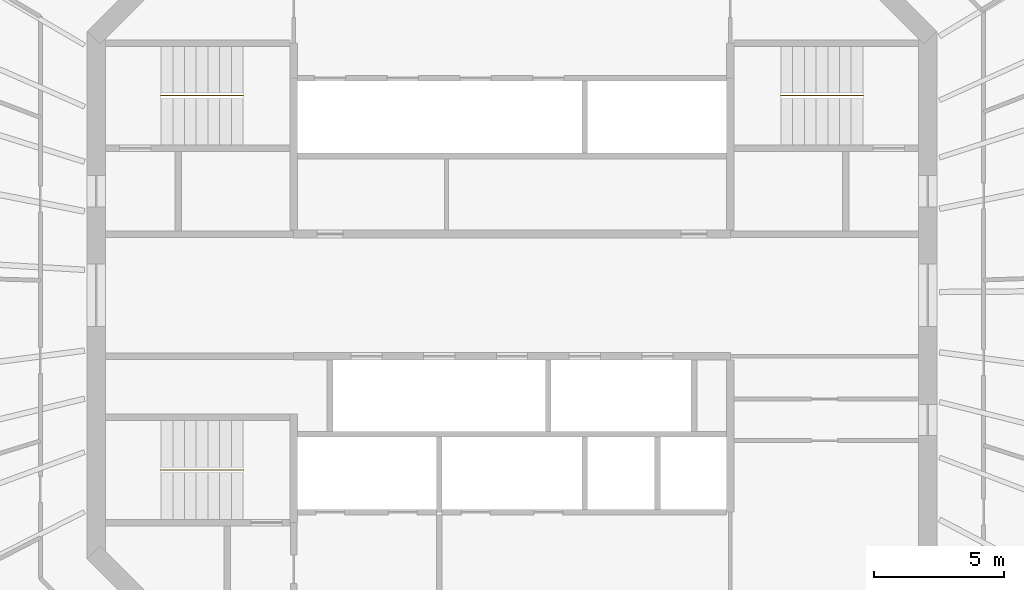
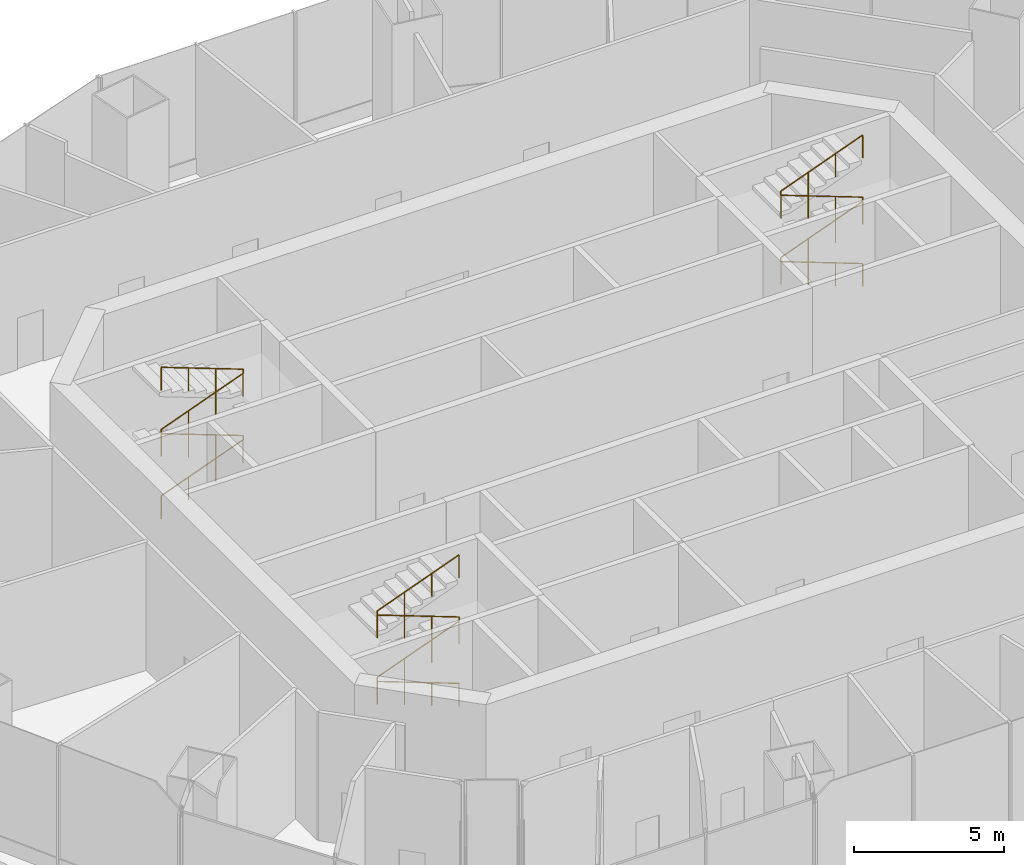
# One storey, part 12 of 12: 3 railings.
"""IFC4 building model written with IfcOpenShell, lengths in metres."""

from ifc_helpers import new_model, si_unit, direction, frame, origin, origin_2d, place, context, subcontext, project, spatial, circle, extrude, material, type_object, element, save


model = new_model("IFC4")

# Units and contexts
model_context = context("Model", 3, precision=1e-05, world=origin(), true_north=direction((0.0, 1.0)))
body_context = subcontext(model_context, "Body", "Model", "MODEL_VIEW")
ifc_project = project(units=[si_unit("LENGTHUNIT", "METRE"), si_unit("AREAUNIT", "SQUARE_METRE"), si_unit("VOLUMEUNIT", "CUBIC_METRE"), si_unit("PLANEANGLEUNIT", "RADIAN"), si_unit("MASSUNIT", "GRAM", prefix="KILO")], contexts=[model_context])

# Site, building, storey
site_placement = place(None, origin())
site = spatial("IfcSite", under=ifc_project, at=site_placement, CompositionType="ELEMENT")
building_placement = place(site_placement, origin())
building = spatial("IfcBuilding", under=site, at=building_placement, Name="Marenthal Gate Tower", CompositionType="ELEMENT")
storey_placement = place(building_placement, frame((0.0, 0.0, 279.10009765625)))
storey = spatial("IfcBuildingStorey", under=building, at=storey_placement, Name="L62", CompositionType="ELEMENT", Elevation=279.10009765625)

# Railings
ifc_material = material(Name="Stainless steel", Category="steel")
railing_type = type_object("IfcRailingType", Name="Stair handrail", PredefinedType="HANDRAIL", material=ifc_material)
railing_1_placement = place(storey_placement, frame((-13.5, 7.675048828125, 0.168701171875)))
element("IfcRailing", 1, at=railing_1_placement, inside=storey, type_object=railing_type, Name="Handrail ST1", PredefinedType="HANDRAIL", context=body_context, shape_type="SweptSolid", body=[
    extrude(circle(Radius=0.0224609375, at=origin_2d()), frame((0.0, 0.0, 0.927490234375), z_axis=(0.936335142327, 0.0, 0.351107535156), x_axis=(0.0, 1.0, 0.0)), (0.0, 0.0, 1.0), 3.364013671875),
    extrude(circle(Radius=0.0224609375, at=origin_2d()), frame((3.14990234375, 0.0, 2.108642578125), z_axis=(0.0, 0.0, 1.0), x_axis=(1.0, 0.0, 0.0)), (0.0, 0.0, 1.0), 0.1689453125),
    extrude(circle(Radius=0.0224609375, at=origin_2d()), frame((3.14990234375, 0.0, 2.277587890625), z_axis=(-0.936335142327, 0.0, 0.351107535156), x_axis=(0.0, -1.0, 0.0)), (0.0, 0.0, 1.0), 3.364013671875),
    extrude(circle(Radius=0.0224609375, at=origin_2d()), frame((0.0, 0.0, 3.458740234375), z_axis=(0.0, 0.0, 1.0), x_axis=(1.0, 0.0, 0.0)), (0.0, 0.0, 1.0), 0.168701171875),
    extrude(circle(Radius=0.0224609375, at=origin_2d()), frame((0.0, 0.0, 3.62744140625), z_axis=(0.936335142327, 0.0, 0.351107535156), x_axis=(0.0, 1.0, 0.0)), (0.0, 0.0, 1.0), 3.364013671875),
    extrude(circle(Radius=0.0224609375, at=origin_2d()), frame((3.14990234375, 0.0, 4.80859375), z_axis=(0.0, 0.0, 1.0), x_axis=(1.0, 0.0, 0.0)), (0.0, 0.0, 1.0), 0.1689453125),
    extrude(circle(Radius=0.0224609375, at=origin_2d()), frame((3.14990234375, 0.0, 4.9775390625), z_axis=(-0.936335142327, 0.0, 0.351107535156), x_axis=(0.0, -1.0, 0.0)), (0.0, 0.0, 1.0), 3.364013671875),
    extrude(circle(Radius=0.02001953125, at=origin_2d()), origin(), (0.0, 0.0, 1.0), 0.905029296875),
    extrude(circle(Radius=0.02001953125, at=origin_2d()), frame((1.050048828125, 0.0, 0.393798828125)), (0.0, 0.0, 1.0), 0.905029296875),
    extrude(circle(Radius=0.02001953125, at=origin_2d()), frame((2.099853515625, 0.0, 0.787353515625)), (0.0, 0.0, 1.0), 0.905029296875),
    extrude(circle(Radius=0.02001953125, at=origin_2d()), frame((3.14990234375, 0.0, 1.18115234375)), (0.0, 0.0, 1.0), 0.905029296875),
    extrude(circle(Radius=0.02001953125, at=origin_2d()), frame((3.14990234375, 0.0, 1.35009765625)), (0.0, 0.0, 1.0), 0.905029296875),
    extrude(circle(Radius=0.02001953125, at=origin_2d()), frame((2.099853515625, 0.0, 1.743896484375)), (0.0, 0.0, 1.0), 0.905029296875),
    extrude(circle(Radius=0.02001953125, at=origin_2d()), frame((1.050048828125, 0.0, 2.137451171875)), (0.0, 0.0, 1.0), 0.905029296875),
    extrude(circle(Radius=0.02001953125, at=origin_2d()), frame((0.0, 0.0, 2.53125)), (0.0, 0.0, 1.0), 0.905029296875),
    extrude(circle(Radius=0.02001953125, at=origin_2d()), frame((0.0, 0.0, 2.699951171875)), (0.0, 0.0, 1.0), 0.905029296875),
    extrude(circle(Radius=0.02001953125, at=origin_2d()), frame((1.050048828125, 0.0, 3.09375)), (0.0, 0.0, 1.0), 0.905029296875),
    extrude(circle(Radius=0.02001953125, at=origin_2d()), frame((2.099853515625, 0.0, 3.4873046875)), (0.0, 0.0, 1.0), 0.905029296875),
    extrude(circle(Radius=0.02001953125, at=origin_2d()), frame((3.14990234375, 0.0, 3.881103515625)), (0.0, 0.0, 1.0), 0.905029296875),
    extrude(circle(Radius=0.02001953125, at=origin_2d()), frame((3.14990234375, 0.0, 4.050048828125)), (0.0, 0.0, 1.0), 0.905029296875),
    extrude(circle(Radius=0.02001953125, at=origin_2d()), frame((2.099853515625, 0.0, 4.44384765625)), (0.0, 0.0, 1.0), 0.905029296875),
    extrude(circle(Radius=0.02001953125, at=origin_2d()), frame((1.050048828125, 0.0, 4.83740234375)), (0.0, 0.0, 1.0), 0.905029296875),
    extrude(circle(Radius=0.02001953125, at=origin_2d()), frame((0.0, 0.0, 5.231201171875)), (0.0, 0.0, 1.0), 0.905029296875),
])
railing_2_placement = place(storey_placement, frame((-10.35009765625, -6.72509765625, 0.168701171875)))
element("IfcRailing", 2, at=railing_2_placement, inside=storey, type_object=railing_type, Name="Handrail ST2", PredefinedType="HANDRAIL", context=body_context, shape_type="SweptSolid", body=[
    extrude(circle(Radius=0.0224609375, at=origin_2d()), frame((0.0, 0.0, 0.927490234375), z_axis=(-0.936335142327, 0.0, 0.351107535156), x_axis=(0.0, -1.0, 0.0)), (0.0, 0.0, 1.0), 3.364013671875),
    extrude(circle(Radius=0.0224609375, at=origin_2d()), frame((-3.14990234375, 0.0, 2.108642578125), z_axis=(0.0, 0.0, 1.0), x_axis=(1.0, 0.0, 0.0)), (0.0, 0.0, 1.0), 0.1689453125),
    extrude(circle(Radius=0.0224609375, at=origin_2d()), frame((-3.14990234375, 0.0, 2.277587890625), z_axis=(0.936335142327, 0.0, 0.351107535156), x_axis=(0.0, 1.0, 0.0)), (0.0, 0.0, 1.0), 3.364013671875),
    extrude(circle(Radius=0.0224609375, at=origin_2d()), frame((0.0, 0.0, 3.458740234375), z_axis=(0.0, 0.0, 1.0), x_axis=(1.0, 0.0, 0.0)), (0.0, 0.0, 1.0), 0.168701171875),
    extrude(circle(Radius=0.0224609375, at=origin_2d()), frame((0.0, 0.0, 3.62744140625), z_axis=(-0.936335142327, 0.0, 0.351107535156), x_axis=(0.0, -1.0, 0.0)), (0.0, 0.0, 1.0), 3.364013671875),
    extrude(circle(Radius=0.0224609375, at=origin_2d()), frame((-3.14990234375, 0.0, 4.80859375), z_axis=(0.0, 0.0, 1.0), x_axis=(1.0, 0.0, 0.0)), (0.0, 0.0, 1.0), 0.1689453125),
    extrude(circle(Radius=0.0224609375, at=origin_2d()), frame((-3.14990234375, 0.0, 4.9775390625), z_axis=(0.936335142327, 0.0, 0.351107535156), x_axis=(0.0, 1.0, 0.0)), (0.0, 0.0, 1.0), 3.364013671875),
    extrude(circle(Radius=0.02001953125, at=origin_2d()), origin(), (0.0, 0.0, 1.0), 0.905029296875),
    extrude(circle(Radius=0.02001953125, at=origin_2d()), frame((-1.050048828125, 0.0, 0.393798828125)), (0.0, 0.0, 1.0), 0.905029296875),
    extrude(circle(Radius=0.02001953125, at=origin_2d()), frame((-2.099853515625, 0.0, 0.787353515625)), (0.0, 0.0, 1.0), 0.905029296875),
    extrude(circle(Radius=0.02001953125, at=origin_2d()), frame((-3.14990234375, 0.0, 1.18115234375)), (0.0, 0.0, 1.0), 0.905029296875),
    extrude(circle(Radius=0.02001953125, at=origin_2d()), frame((-3.14990234375, 0.0, 1.35009765625)), (0.0, 0.0, 1.0), 0.905029296875),
    extrude(circle(Radius=0.02001953125, at=origin_2d()), frame((-2.099853515625, 0.0, 1.743896484375)), (0.0, 0.0, 1.0), 0.905029296875),
    extrude(circle(Radius=0.02001953125, at=origin_2d()), frame((-1.050048828125, 0.0, 2.137451171875)), (0.0, 0.0, 1.0), 0.905029296875),
    extrude(circle(Radius=0.02001953125, at=origin_2d()), frame((0.0, 0.0, 2.53125)), (0.0, 0.0, 1.0), 0.905029296875),
    extrude(circle(Radius=0.02001953125, at=origin_2d()), frame((0.0, 0.0, 2.699951171875)), (0.0, 0.0, 1.0), 0.905029296875),
    extrude(circle(Radius=0.02001953125, at=origin_2d()), frame((-1.050048828125, 0.0, 3.09375)), (0.0, 0.0, 1.0), 0.905029296875),
    extrude(circle(Radius=0.02001953125, at=origin_2d()), frame((-2.099853515625, 0.0, 3.4873046875)), (0.0, 0.0, 1.0), 0.905029296875),
    extrude(circle(Radius=0.02001953125, at=origin_2d()), frame((-3.14990234375, 0.0, 3.881103515625)), (0.0, 0.0, 1.0), 0.905029296875),
    extrude(circle(Radius=0.02001953125, at=origin_2d()), frame((-3.14990234375, 0.0, 4.050048828125)), (0.0, 0.0, 1.0), 0.905029296875),
    extrude(circle(Radius=0.02001953125, at=origin_2d()), frame((-2.099853515625, 0.0, 4.44384765625)), (0.0, 0.0, 1.0), 0.905029296875),
    extrude(circle(Radius=0.02001953125, at=origin_2d()), frame((-1.050048828125, 0.0, 4.83740234375)), (0.0, 0.0, 1.0), 0.905029296875),
    extrude(circle(Radius=0.02001953125, at=origin_2d()), frame((0.0, 0.0, 5.231201171875)), (0.0, 0.0, 1.0), 0.905029296875),
])
railing_3_placement = place(storey_placement, frame((13.5, 7.675048828125, 0.168701171875)))
element("IfcRailing", 3, at=railing_3_placement, inside=storey, type_object=railing_type, Name="Handrail ST3", PredefinedType="HANDRAIL", context=body_context, shape_type="SweptSolid", body=[
    extrude(circle(Radius=0.0224609375, at=origin_2d()), frame((0.0, 0.0, 0.927490234375), z_axis=(-0.936335142327, 0.0, 0.351107535156), x_axis=(0.0, -1.0, 0.0)), (0.0, 0.0, 1.0), 3.364013671875),
    extrude(circle(Radius=0.0224609375, at=origin_2d()), frame((-3.14990234375, 0.0, 2.108642578125), z_axis=(0.0, 0.0, 1.0), x_axis=(1.0, 0.0, 0.0)), (0.0, 0.0, 1.0), 0.1689453125),
    extrude(circle(Radius=0.0224609375, at=origin_2d()), frame((-3.14990234375, 0.0, 2.277587890625), z_axis=(0.936335142327, 0.0, 0.351107535156), x_axis=(0.0, 1.0, 0.0)), (0.0, 0.0, 1.0), 3.364013671875),
    extrude(circle(Radius=0.0224609375, at=origin_2d()), frame((0.0, 0.0, 3.458740234375), z_axis=(0.0, 0.0, 1.0), x_axis=(1.0, 0.0, 0.0)), (0.0, 0.0, 1.0), 0.168701171875),
    extrude(circle(Radius=0.0224609375, at=origin_2d()), frame((0.0, 0.0, 3.62744140625), z_axis=(-0.936335142327, 0.0, 0.351107535156), x_axis=(0.0, -1.0, 0.0)), (0.0, 0.0, 1.0), 3.364013671875),
    extrude(circle(Radius=0.0224609375, at=origin_2d()), frame((-3.14990234375, 0.0, 4.80859375), z_axis=(0.0, 0.0, 1.0), x_axis=(1.0, 0.0, 0.0)), (0.0, 0.0, 1.0), 0.1689453125),
    extrude(circle(Radius=0.0224609375, at=origin_2d()), frame((-3.14990234375, 0.0, 4.9775390625), z_axis=(0.936335142327, 0.0, 0.351107535156), x_axis=(0.0, 1.0, 0.0)), (0.0, 0.0, 1.0), 3.364013671875),
    extrude(circle(Radius=0.02001953125, at=origin_2d()), origin(), (0.0, 0.0, 1.0), 0.905029296875),
    extrude(circle(Radius=0.02001953125, at=origin_2d()), frame((-1.050048828125, 0.0, 0.393798828125)), (0.0, 0.0, 1.0), 0.905029296875),
    extrude(circle(Radius=0.02001953125, at=origin_2d()), frame((-2.099853515625, 0.0, 0.787353515625)), (0.0, 0.0, 1.0), 0.905029296875),
    extrude(circle(Radius=0.02001953125, at=origin_2d()), frame((-3.14990234375, 0.0, 1.18115234375)), (0.0, 0.0, 1.0), 0.905029296875),
    extrude(circle(Radius=0.02001953125, at=origin_2d()), frame((-3.14990234375, 0.0, 1.35009765625)), (0.0, 0.0, 1.0), 0.905029296875),
    extrude(circle(Radius=0.02001953125, at=origin_2d()), frame((-2.099853515625, 0.0, 1.743896484375)), (0.0, 0.0, 1.0), 0.905029296875),
    extrude(circle(Radius=0.02001953125, at=origin_2d()), frame((-1.050048828125, 0.0, 2.137451171875)), (0.0, 0.0, 1.0), 0.905029296875),
    extrude(circle(Radius=0.02001953125, at=origin_2d()), frame((0.0, 0.0, 2.53125)), (0.0, 0.0, 1.0), 0.905029296875),
    extrude(circle(Radius=0.02001953125, at=origin_2d()), frame((0.0, 0.0, 2.699951171875)), (0.0, 0.0, 1.0), 0.905029296875),
    extrude(circle(Radius=0.02001953125, at=origin_2d()), frame((-1.050048828125, 0.0, 3.09375)), (0.0, 0.0, 1.0), 0.905029296875),
    extrude(circle(Radius=0.02001953125, at=origin_2d()), frame((-2.099853515625, 0.0, 3.4873046875)), (0.0, 0.0, 1.0), 0.905029296875),
    extrude(circle(Radius=0.02001953125, at=origin_2d()), frame((-3.14990234375, 0.0, 3.881103515625)), (0.0, 0.0, 1.0), 0.905029296875),
    extrude(circle(Radius=0.02001953125, at=origin_2d()), frame((-3.14990234375, 0.0, 4.050048828125)), (0.0, 0.0, 1.0), 0.905029296875),
    extrude(circle(Radius=0.02001953125, at=origin_2d()), frame((-2.099853515625, 0.0, 4.44384765625)), (0.0, 0.0, 1.0), 0.905029296875),
    extrude(circle(Radius=0.02001953125, at=origin_2d()), frame((-1.050048828125, 0.0, 4.83740234375)), (0.0, 0.0, 1.0), 0.905029296875),
    extrude(circle(Radius=0.02001953125, at=origin_2d()), frame((0.0, 0.0, 5.231201171875)), (0.0, 0.0, 1.0), 0.905029296875),
])

save(model, "model.ifc")
